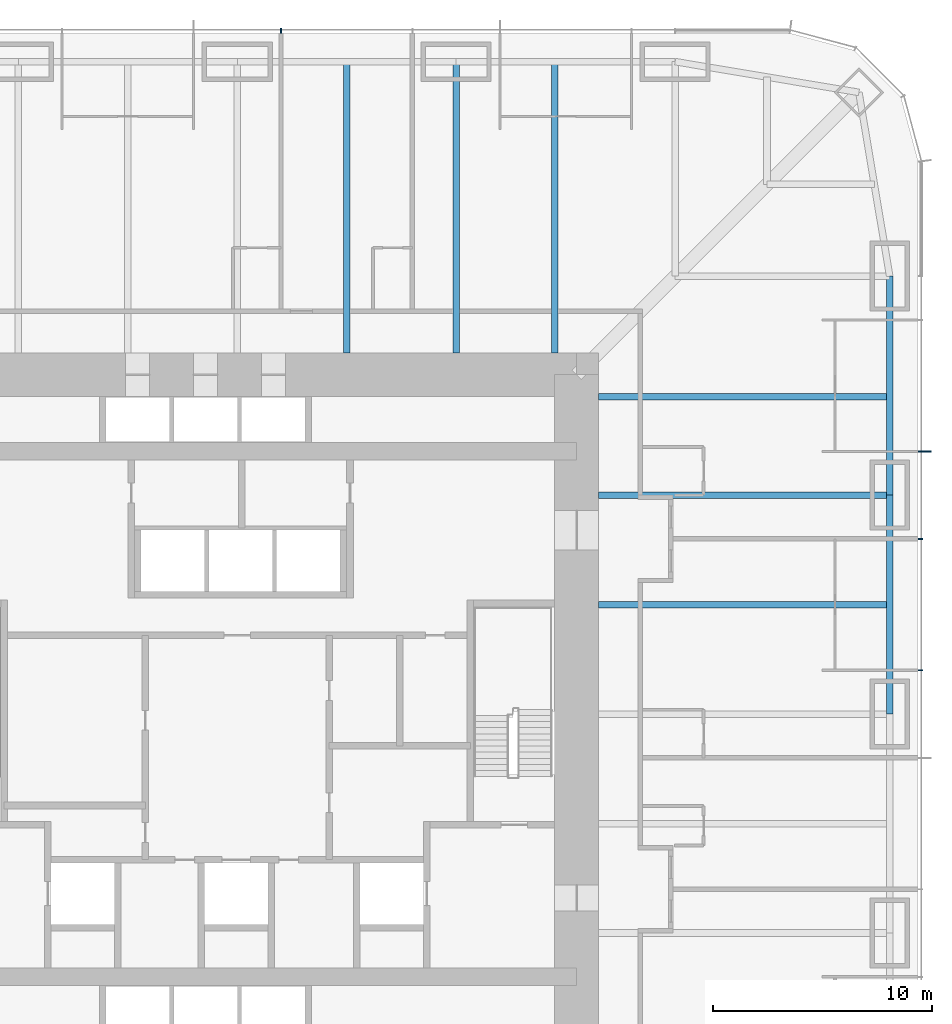
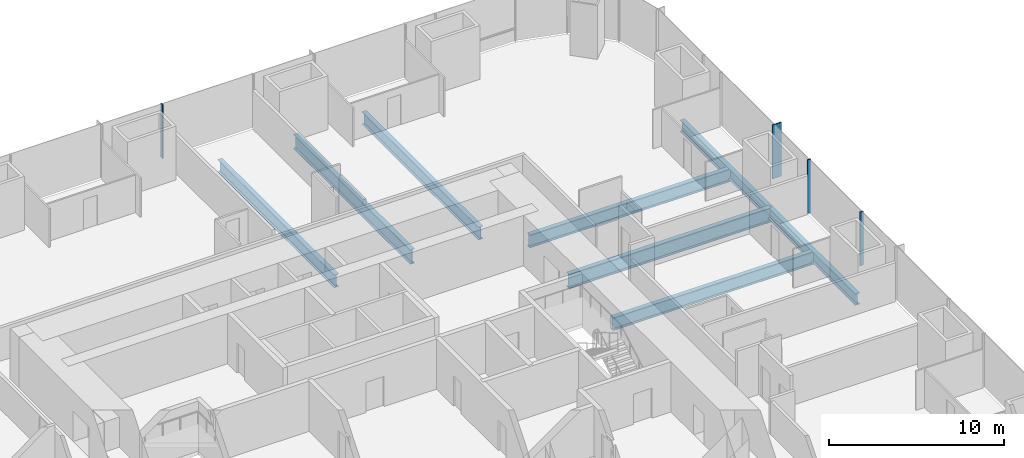
# One storey, part 8 of 17: 8 beams, 4 members, 2 elements without a shape of their own.
"""IFC4 building model written with IfcOpenShell, lengths in metres."""

from ifc_helpers import new_model, si_unit, direction, frame, origin, origin_2d, place, context, subcontext, project, spatial, rectangle, i_section, extrude, material, material_profile, profile_set, type_object, element, aggregate, save


model = new_model("IFC4")

# Units and contexts
model_context = context("Model", 3, precision=1e-05, world=origin(), true_north=direction((0.0, 1.0)))
body_context = subcontext(model_context, "Body", "Model", "MODEL_VIEW")
ifc_project = project(units=[si_unit("LENGTHUNIT", "METRE"), si_unit("AREAUNIT", "SQUARE_METRE"), si_unit("VOLUMEUNIT", "CUBIC_METRE"), si_unit("PLANEANGLEUNIT", "RADIAN"), si_unit("MASSUNIT", "GRAM", prefix="KILO")], contexts=[model_context])

# Site, building, storey
site_placement = place(None, origin())
site = spatial("IfcSite", under=ifc_project, at=site_placement, CompositionType="ELEMENT")
building_placement = place(site_placement, origin())
building = spatial("IfcBuilding", under=site, at=building_placement, Name="Khuree Lantern Residences", CompositionType="ELEMENT")
storey_placement = place(building_placement, frame((0.0, 0.0, 77.25)))
storey = spatial("IfcBuildingStorey", under=building, at=storey_placement, Name="L19", CompositionType="ELEMENT", Elevation=77.25)

# Beams
ifc_material_1 = material(Name="Steel S355", Category="steel")
ifc_material_profile_1 = material_profile(ifc_material_1, i_section(OverallWidth=0.300048828125, OverallDepth=0.889892578125, WebThickness=0.01611328125, FlangeThickness=0.030029296875, FilletRadius=0.030029296875, at=origin_2d()), Name="HE 900 A")
ifc_profile_set_1 = profile_set([ifc_material_profile_1], Name="Steel S355")
beam_type_1 = type_object("IfcBeamType", Name="B-14 SECONDARY BEAM HE 900 A", PredefinedType="BEAM", material=ifc_profile_set_1)
for number, where, z_axis, x_axis, name in (
    (1, (5.0, 29.800048828125, -0.695068359375), (0.0, -1.0, 0.0), (1.0, 0.0, 0.0), "Secondary beam N3"),
    (2, (14.5, 29.800048828125, -0.695068359375), (0.0, -1.0, 0.0), (1.0, 0.0, 0.0), "Secondary beam N4"),
    (3, (29.800048828125, 14.5, -0.695068359375), (-1.0, 0.0, 0.0), (0.0, -1.0, 0.0), "Secondary beam E2"),
    (4, (29.800048828125, 5.0, -0.695068359375), (-1.0, 0.0, 0.0), (0.0, -1.0, 0.0), "Secondary beam E3"),
):
    element("IfcBeam", number, at=place(storey_placement, frame(where, z_axis=z_axis, x_axis=x_axis)), inside=storey, type_object=beam_type_1, Name=name, PredefinedType="BEAM", context=body_context, shape_type="SweptSolid", body=[
        extrude(i_section(OverallWidth=0.300048828125, OverallDepth=0.889892578125, WebThickness=0.01611328125, FlangeThickness=0.030029296875, FilletRadius=0.030029296875, at=origin_2d()), origin(), (0.0, 0.0, 1.0), 13.300048828125),
    ])
ifc_material_profile_2 = material_profile(ifc_material_1, i_section(OverallWidth=0.300048828125, OverallDepth=0.7900390625, WebThickness=0.014892578125, FlangeThickness=0.028076171875, FilletRadius=0.030029296875, at=origin_2d()), Name="HE 800 A")
ifc_profile_set_2 = profile_set([ifc_material_profile_2], Name="Steel S355")
beam_type_2 = type_object("IfcBeamType", Name="E-14 SPANDREL BEAM HE 800 A", PredefinedType="SPANDREL", material=ifc_profile_set_2)
for number, where, z_axis, x_axis, name in (
    (5, (29.800048828125, 20.0, -0.64501953125), (0.0, -1.0, 0.0), (1.0, 0.0, 0.0), "Spandrel beam E2"),
    (6, (29.800048828125, 10.0, -0.64501953125), (0.0, -1.0, 0.0), (1.0, 0.0, 0.0), "Spandrel beam E3"),
):
    element("IfcBeam", number, at=place(storey_placement, frame(where, z_axis=z_axis, x_axis=x_axis)), inside=storey, type_object=beam_type_2, Name=name, PredefinedType="SPANDREL", context=body_context, shape_type="SweptSolid", body=[
        extrude(i_section(OverallWidth=0.300048828125, OverallDepth=0.7900390625, WebThickness=0.014892578125, FlangeThickness=0.028076171875, FilletRadius=0.030029296875, at=origin_2d()), origin(), (0.0, 0.0, 1.0), 10.0),
    ])

# Curtain wall, member
ifc_material_2 = material(Name="Bronze anodised aluminium", Category="aluminium")
curtain_wall_type = type_object("IfcCurtainWallType", Name="CW-T1 TOWER FACE CURTAIN WALL", PredefinedType="USERDEFINED", material=ifc_material_2)
curtain_wall_1_placement = place(storey_placement, origin())
curtain_wall_1 = element("IfcCurtainWall", 7, at=curtain_wall_1_placement, inside=storey, type_object=curtain_wall_type, Name="L19 EAST FACE CURTAIN WALL", ObjectType="Stick-built curtain wall", PredefinedType="USERDEFINED")
ifc_material_profile_3 = material_profile(ifc_material_2, rectangle(XDim=0.06494140625, YDim=0.60009765625, at=origin_2d()), Name="F1 65X600")
ifc_profile_set_3 = profile_set([ifc_material_profile_3], Name="Bronze anodised aluminium")
member_type_1 = type_object("IfcMemberType", Name="F1 BRONZE FIN MULLION TOWER 65X600", PredefinedType="MULLION", material=ifc_profile_set_3)
member_1_placement = place(storey_placement, frame((31.39990234375, 12.0, 0.0), z_axis=(0.0, 0.0, 1.0), x_axis=(0.0, 1.0, 0.0)))
member_1 = element("IfcMember", 8, at=member_1_placement, type_object=member_type_1, Name="L19 EAST FACE FIN MULLION 12", PredefinedType="MULLION", context=body_context, shape_type="SweptSolid", body=[
    extrude(rectangle(XDim=0.06494140625, YDim=0.60009765625, at=origin_2d()), origin(), (0.0, 0.0, 1.0), 3.75),
])

# Beams
ifc_material_profile_4 = material_profile(ifc_material_1, i_section(OverallWidth=0.302001953125, OverallDepth=1.008056640625, WebThickness=0.02099609375, FlangeThickness=0.0400390625, FilletRadius=0.030029296875, at=origin_2d()), Name="HE 1000 M")
ifc_profile_set_4 = profile_set([ifc_material_profile_4], Name="Steel S355")
beam_type_3 = type_object("IfcBeamType", Name="G-14 GIRDER HE 1000 M", PredefinedType="BEAM", material=ifc_profile_set_4)
for number, where, z_axis, x_axis, name in (
    (9, (10.0, 29.800048828125, -0.75390625), (0.0, -1.0, 0.0), (1.0, 0.0, 0.0), "Girder N4"),
    (10, (29.800048828125, 10.0, -0.75390625), (-1.0, 0.0, 0.0), (0.0, -1.0, 0.0), "Girder E2"),
):
    element("IfcBeam", number, at=place(storey_placement, frame(where, z_axis=z_axis, x_axis=x_axis)), inside=storey, type_object=beam_type_3, Name=name, PredefinedType="BEAM", context=body_context, shape_type="SweptSolid", body=[
        extrude(i_section(OverallWidth=0.302001953125, OverallDepth=1.008056640625, WebThickness=0.02099609375, FlangeThickness=0.0400390625, FilletRadius=0.030029296875, at=origin_2d()), origin(), (0.0, 0.0, 1.0), 13.300048828125),
    ])

# Member
ifc_material_profile_5 = material_profile(ifc_material_2, rectangle(XDim=0.06494140625, YDim=0.219970703125, at=origin_2d()), Name="M1 65X220")
ifc_profile_set_5 = profile_set([ifc_material_profile_5], Name="Bronze anodised aluminium")
member_type_2 = type_object("IfcMemberType", Name="M1 BRONZE MULLION TOWER 65X220", PredefinedType="MULLION", material=ifc_profile_set_5)
member_2_placement = place(storey_placement, frame((31.2099609375, 2.0, 0.0), z_axis=(0.0, 0.0, 1.0), x_axis=(0.0, 1.0, 0.0)))
member_2 = element("IfcMember", 11, at=member_2_placement, type_object=member_type_2, Name="L19 EAST FACE MULLION 10", PredefinedType="MULLION", context=body_context, shape_type="SweptSolid", body=[
    extrude(rectangle(XDim=0.06494140625, YDim=0.219970703125, at=origin_2d()), origin(), (0.0, 0.0, 1.0), 3.75),
])

member_3_placement = place(storey_placement, frame((31.2099609375, 8.0, 0.0), z_axis=(0.0, 0.0, 1.0), x_axis=(0.0, 1.0, 0.0)))
member_3 = element("IfcMember", 12, at=member_3_placement, type_object=member_type_2, Name="L19 EAST FACE MULLION 11", PredefinedType="MULLION", context=body_context, shape_type="SweptSolid", body=[
    extrude(rectangle(XDim=0.06494140625, YDim=0.219970703125, at=origin_2d()), origin(), (0.0, 0.0, 1.0), 3.75),
])

aggregate(curtain_wall_1, [member_2, member_3, member_1])

# Curtain wall, member
curtain_wall_2_placement = place(storey_placement, origin())
curtain_wall_2 = element("IfcCurtainWall", 13, at=curtain_wall_2_placement, inside=storey, type_object=curtain_wall_type, Name="L19 NORTH FACE CURTAIN WALL", ObjectType="Stick-built curtain wall", PredefinedType="USERDEFINED")
member_4_placement = place(storey_placement, frame((2.0, 31.2099609375, 0.0), z_axis=(0.0, 0.0, 1.0), x_axis=(-1.0, 0.0, 0.0)))
member_4 = element("IfcMember", 14, at=member_4_placement, type_object=member_type_2, Name="L19 NORTH FACE MULLION 23", PredefinedType="MULLION", context=body_context, shape_type="SweptSolid", body=[
    extrude(rectangle(XDim=0.06494140625, YDim=0.219970703125, at=origin_2d()), origin(), (0.0, 0.0, 1.0), 3.75),
])
aggregate(curtain_wall_2, [member_4])

save(model, "model.ifc")
